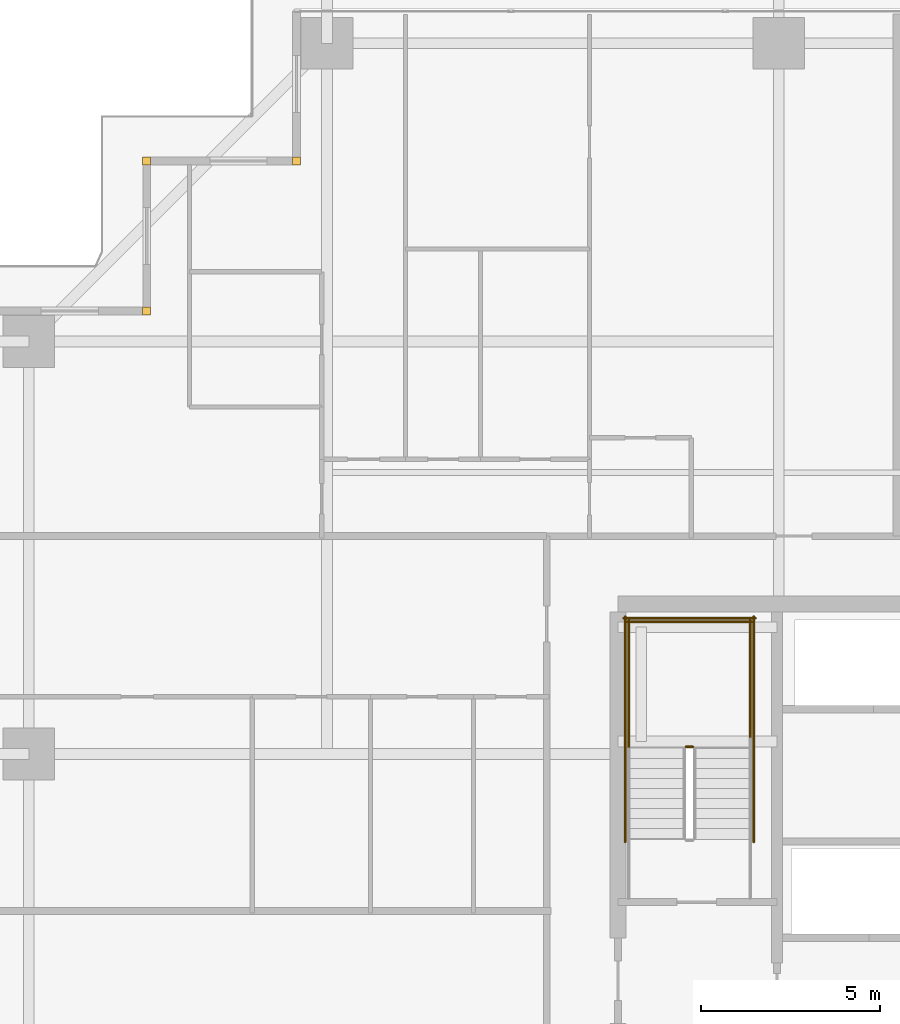
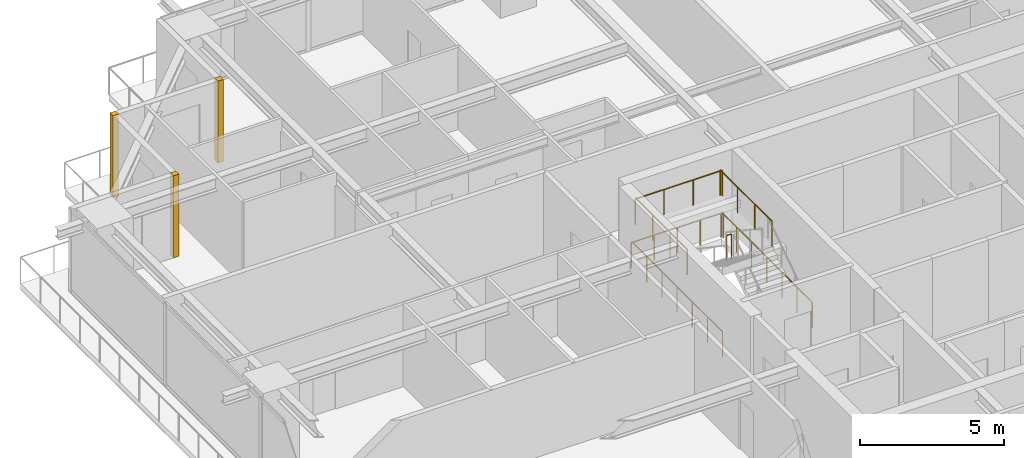
# One storey, part 38 of 39: 7 railings, 3 coverings.
"""IFC4 building model written with IfcOpenShell, lengths in metres."""

from ifc_helpers import new_model, si_unit, direction, frame, origin, origin_2d, place, context, subcontext, project, spatial, rectangle, circle, extrude, source, transform, mapped, material, layer, layer_set, type_object, element, save


model = new_model("IFC4")

# Units and contexts
model_context = context("Model", 3, precision=1e-05, world=origin(), true_north=direction((0.0, 1.0)))
body_context = subcontext(model_context, "Body", "Model", "MODEL_VIEW")
ifc_project = project(units=[si_unit("LENGTHUNIT", "METRE"), si_unit("AREAUNIT", "SQUARE_METRE"), si_unit("VOLUMEUNIT", "CUBIC_METRE"), si_unit("PLANEANGLEUNIT", "RADIAN"), si_unit("MASSUNIT", "GRAM", prefix="KILO")], contexts=[model_context])

# Site, building, storey
site_placement = place(None, origin())
site = spatial("IfcSite", under=ifc_project, at=site_placement, CompositionType="ELEMENT")
building_placement = place(site_placement, origin())
building = spatial("IfcBuilding", under=site, at=building_placement, Name="Serunith Strait Residences", CompositionType="ELEMENT")
storey_placement = place(building_placement, frame((0.0, 0.0, 64.199951171875)))
storey = spatial("IfcBuildingStorey", under=building, at=storey_placement, Name="L15", CompositionType="ELEMENT", Elevation=64.199951171875)

# Railings
ifc_material_1 = material(Name="Brushed stainless steel 316L", Category="steel")
railing_type = type_object("IfcRailingType", Name="RLG-STAIR-GUARD", PredefinedType="BALUSTRADE", material=ifc_material_1)
railing_1_placement = place(storey_placement, frame((25.5, 29.60009765625, 1.875)))
element("IfcRailing", 1, at=railing_1_placement, inside=storey, type_object=railing_type, Name="L15 ST-1 stair guard 2", PredefinedType="BALUSTRADE", context=body_context, shape_type="SweptSolid", body=[
    extrude(circle(Radius=0.02392578125, at=origin_2d()), frame((-0.001953125, 0.0, 1.076171875), z_axis=(-1.0, 0.0, 0.0), x_axis=(0.0, -1.0, 0.0)), (0.0, 0.0, 1.0), 0.196044921875),
    extrude(circle(Radius=0.02099609375, at=origin_2d()), origin(), (0.0, 0.0, 1.0), 1.050048828125),
    extrude(circle(Radius=0.02099609375, at=origin_2d()), frame((-0.199951171875, 0.0, 0.0)), (0.0, 0.0, 1.0), 1.050048828125),
])
for number, where, name in (
    (2, (27.10009765625, 29.550048828125, 1.875), "L15 ST-1 stair guard 3"),
    (3, (23.699951171875, 29.550048828125, 1.875), "L15 ST-1 stair guard 4"),
):
    element("IfcRailing", number, at=place(storey_placement, frame(where)), inside=storey, type_object=railing_type, Name=name, PredefinedType="BALUSTRADE", context=body_context, shape_type="SweptSolid", body=[
        extrude(circle(Radius=0.02392578125, at=origin_2d()), frame((0.0, 0.001953125, 1.076171875), z_axis=(0.0, 1.0, 0.0), x_axis=(-1.0, 0.0, 0.0)), (0.0, 0.0, 1.0), 3.595947265625),
        extrude(circle(Radius=0.02099609375, at=origin_2d()), origin(), (0.0, 0.0, 1.0), 1.050048828125),
        extrude(circle(Radius=0.02099609375, at=origin_2d()), frame((0.0, 1.199951171875, 0.0)), (0.0, 0.0, 1.0), 1.050048828125),
        extrude(circle(Radius=0.02099609375, at=origin_2d()), frame((0.0, 2.39990234375, 0.0)), (0.0, 0.0, 1.0), 1.050048828125),
        extrude(circle(Radius=0.02099609375, at=origin_2d()), frame((0.0, 3.599853515625, 0.0)), (0.0, 0.0, 1.0), 1.050048828125),
    ])
railing_2_placement = place(storey_placement, frame((27.14990234375, 33.10009765625, 1.875)))
element("IfcRailing", 4, at=railing_2_placement, inside=storey, type_object=railing_type, Name="L15 ST-1 stair guard 5", PredefinedType="BALUSTRADE", context=body_context, shape_type="SweptSolid", body=[
    extrude(circle(Radius=0.02392578125, at=origin_2d()), frame((-0.001953125, 0.0, 1.076171875), z_axis=(-1.0, 0.0, 0.0), x_axis=(0.0, -1.0, 0.0)), (0.0, 0.0, 1.0), 3.49609375),
    extrude(circle(Radius=0.02099609375, at=origin_2d()), origin(), (0.0, 0.0, 1.0), 1.050048828125),
    extrude(circle(Radius=0.02099609375, at=origin_2d()), frame((-1.166748046875, 0.0, 0.0)), (0.0, 0.0, 1.0), 1.050048828125),
    extrude(circle(Radius=0.02099609375, at=origin_2d()), frame((-2.333251953125, 0.0, 0.0)), (0.0, 0.0, 1.0), 1.050048828125),
    extrude(circle(Radius=0.02099609375, at=origin_2d()), frame((-3.5, 0.0, 0.0)), (0.0, 0.0, 1.0), 1.050048828125),
])
for number, where, name in (
    (5, (27.199951171875, 26.929931640625, 0.0), "L15 ST-1 stair guard 10"),
    (6, (23.60009765625, 26.929931640625, 0.0), "L15 ST-1 stair guard 11"),
):
    element("IfcRailing", number, at=place(storey_placement, frame(where)), inside=storey, type_object=railing_type, Name=name, PredefinedType="BALUSTRADE", context=body_context, shape_type="SweptSolid", body=[
        extrude(circle(Radius=0.02392578125, at=origin_2d()), frame((0.0, 0.001953125, 1.076171875), z_axis=(0.0, 1.0, 0.0), x_axis=(-1.0, 0.0, 0.0)), (0.0, 0.0, 1.0), 6.316162109375),
        extrude(circle(Radius=0.02099609375, at=origin_2d()), origin(), (0.0, 0.0, 1.0), 1.050048828125),
        extrude(circle(Radius=0.02099609375, at=origin_2d()), frame((0.0, 1.05322265625, 0.0)), (0.0, 0.0, 1.0), 1.050048828125),
        extrude(circle(Radius=0.02099609375, at=origin_2d()), frame((0.0, 2.106689453125, 0.0)), (0.0, 0.0, 1.0), 1.050048828125),
        extrude(circle(Radius=0.02099609375, at=origin_2d()), frame((0.0, 3.16015625, 0.0)), (0.0, 0.0, 1.0), 1.050048828125),
        extrude(circle(Radius=0.02099609375, at=origin_2d()), frame((0.0, 4.21337890625, 0.0)), (0.0, 0.0, 1.0), 1.050048828125),
        extrude(circle(Radius=0.02099609375, at=origin_2d()), frame((0.0, 5.2666015625, 0.0)), (0.0, 0.0, 1.0), 1.050048828125),
        extrude(circle(Radius=0.02099609375, at=origin_2d()), frame((0.0, 6.320068359375, 0.0)), (0.0, 0.0, 1.0), 1.050048828125),
    ])
railing_3_placement = place(storey_placement, frame((27.25, 33.199951171875, 0.0)))
element("IfcRailing", 7, at=railing_3_placement, inside=storey, type_object=railing_type, Name="L15 ST-1 stair guard 12", PredefinedType="BALUSTRADE", context=body_context, shape_type="SweptSolid", body=[
    extrude(circle(Radius=0.02392578125, at=origin_2d()), frame((-0.001953125, 0.0, 1.076171875), z_axis=(-1.0, 0.0, 0.0), x_axis=(0.0, -1.0, 0.0)), (0.0, 0.0, 1.0), 3.696044921875),
    extrude(circle(Radius=0.02099609375, at=origin_2d()), origin(), (0.0, 0.0, 1.0), 1.050048828125),
    extrude(circle(Radius=0.02099609375, at=origin_2d()), frame((-0.925048828125, 0.0, 0.0)), (0.0, 0.0, 1.0), 1.050048828125),
    extrude(circle(Radius=0.02099609375, at=origin_2d()), frame((-1.85009765625, 0.0, 0.0)), (0.0, 0.0, 1.0), 1.050048828125),
    extrude(circle(Radius=0.02099609375, at=origin_2d()), frame((-2.77490234375, 0.0, 0.0)), (0.0, 0.0, 1.0), 1.050048828125),
    extrude(circle(Radius=0.02099609375, at=origin_2d()), frame((-3.699951171875, 0.0, 0.0)), (0.0, 0.0, 1.0), 1.050048828125),
])

# Coverings
ifc_material_2 = material(Name="Pale-Champagne Anodised Aluminium", Category="aluminium")
ifc_layer = layer(ifc_material_2, 0.219970703125, Name="Pale-Champagne Anodised Aluminium")
ifc_layer_set = layer_set([ifc_layer], Name="Pale-Champagne Anodised Aluminium")
covering_type = type_object("IfcCoveringType", Name="COV-CORN-TRIM", PredefinedType="CLADDING", material=ifc_layer_set)
shared_shape = source(origin(), body_context, "Body", "SweptSolid", [
    extrude(rectangle(XDim=0.221923828125, YDim=0.221923828125, at=origin_2d()), origin(), (0.0, 0.0, 1.0), 3.47509765625),
])
for number, where, z_axis, x_axis, name in (
    (8, (14.39990234375, 46.0, 0.0), (0.0, 0.0, 1.0), (1.0, 0.0, 0.0), "L15 Girih Serrated Corner Trim Post 12"),
    (9, (10.199951171875, 46.0, 0.0), (0.0, 0.0, 1.0), (1.0, 0.0, 0.0), "L15 Girih Serrated Corner Trim Post 13"),
    (10, (10.199951171875, 41.800048828125, 0.0), (0.0, 0.0, 1.0), (1.0, 0.0, 0.0), "L15 Girih Serrated Corner Trim Post 14"),
):
    element("IfcCovering", number, at=place(storey_placement, frame(where, z_axis=z_axis, x_axis=x_axis)), inside=storey, type_object=covering_type, Name=name, PredefinedType="CLADDING", context=body_context, shape_type="MappedRepresentation", body=[
        mapped(shared_shape, transform((0.0, 0.0, 0.0), scale=1.0)),
    ])

save(model, "model.ifc")
